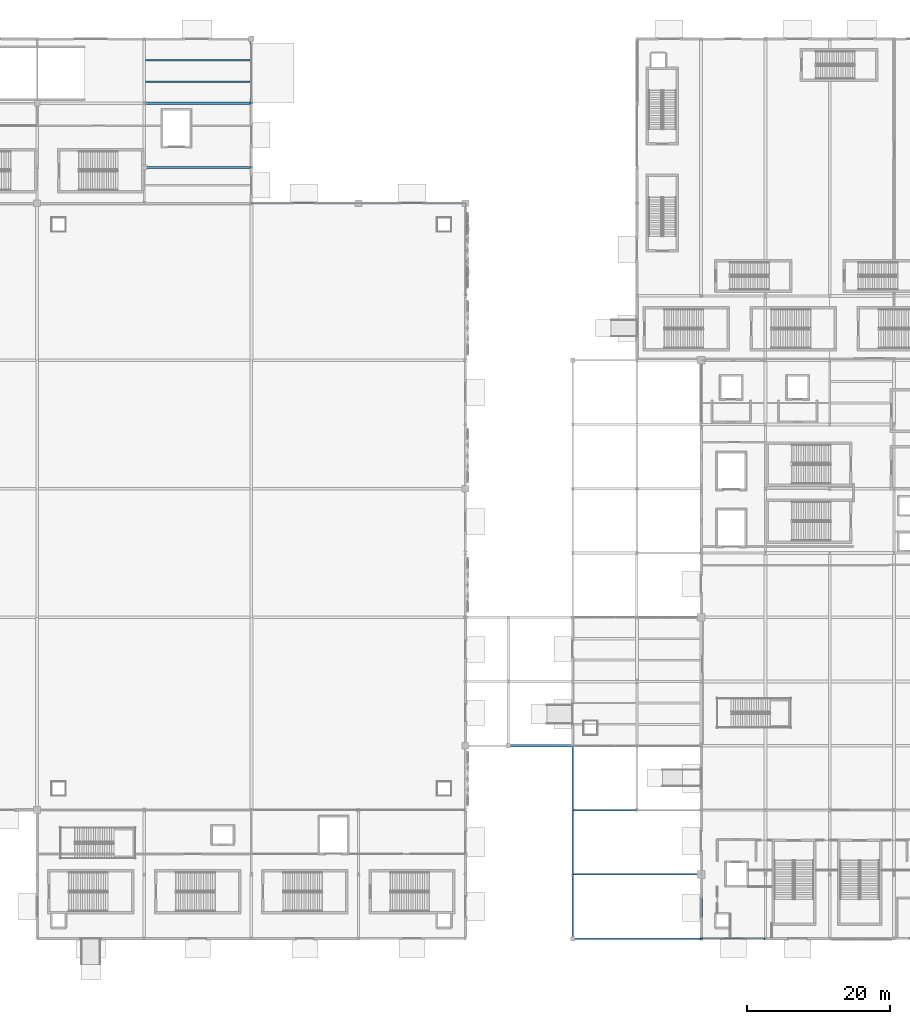
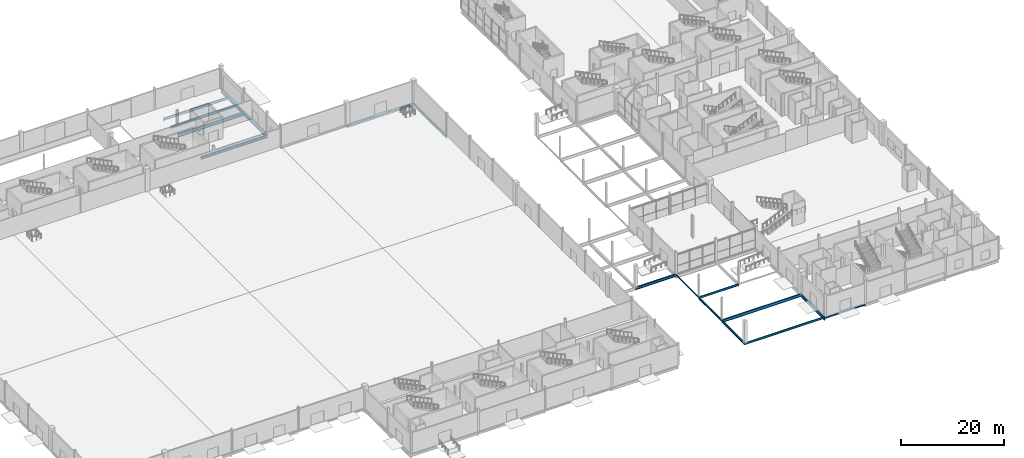
# One storey, part 29 of 94: 18 beams.
"""IFC4 building model written with IfcOpenShell, lengths in metres."""

from ifc_helpers import new_model, si_unit, direction, frame, origin, origin_2d, place, context, subcontext, project, spatial, hollow_rectangle, i_section, extrude, material, material_profile, profile_set, type_object, element, save


model = new_model("IFC4")

# Units and contexts
model_context = context("Model", 3, precision=1e-05, world=origin(), true_north=direction((0.0, 1.0)))
body_context = subcontext(model_context, "Body", "Model", "MODEL_VIEW")
ifc_project = project(units=[si_unit("LENGTHUNIT", "METRE"), si_unit("AREAUNIT", "SQUARE_METRE"), si_unit("VOLUMEUNIT", "CUBIC_METRE"), si_unit("PLANEANGLEUNIT", "RADIAN"), si_unit("MASSUNIT", "GRAM", prefix="KILO")], contexts=[model_context])

# Site, building, storey
site_placement = place(None, origin())
site = spatial("IfcSite", under=ifc_project, at=site_placement, CompositionType="ELEMENT")
building_placement = place(site_placement, origin())
building = spatial("IfcBuilding", under=site, at=building_placement, Name="Qamarlyn Nura Convention Centre", CompositionType="ELEMENT")
storey_placement = place(building_placement, origin())
storey = spatial("IfcBuildingStorey", under=building, at=storey_placement, Name="L00", CompositionType="ELEMENT", Elevation=0.0)

# Beams
ifc_material_1 = material(Name="Steel ASTM A992", Category="steel")
ifc_material_profile_1 = material_profile(ifc_material_1, i_section(OverallWidth=0.323974609375, OverallDepth=0.611083984375, WebThickness=0.0126953125, FlangeThickness=0.01904296875, FilletRadius=0.01611328125, at=origin_2d()), Name="W610X155")
ifc_profile_set_1 = profile_set([ifc_material_profile_1], Name="Steel ASTM A992")
beam_type_1 = type_object("IfcBeamType", Name="BM-GIRD-610", PredefinedType="BEAM", material=ifc_profile_set_1)
beam_1_placement = place(storey_placement, frame((126.0, 27.0, -0.305419921875), z_axis=(1.0, 0.0, 0.0), x_axis=(0.0, 1.0, 0.0)))
element("IfcBeam", 1, at=beam_1_placement, inside=storey, type_object=beam_type_1, Name="L00 girder D 10-11", PredefinedType="BEAM", context=body_context, shape_type="SweptSolid", body=[
    extrude(i_section(OverallWidth=0.323974609375, OverallDepth=0.611083984375, WebThickness=0.0126953125, FlangeThickness=0.01904296875, FilletRadius=0.01611328125, at=origin_2d()), origin(), (0.0, 0.0, 1.0), 9.0),
])
beam_2_placement = place(storey_placement, frame((75.0, 108.0, -0.62548828125), z_axis=(1.0, 0.0, 0.0), x_axis=(0.0, 1.0, 0.0)))
element("IfcBeam", 2, at=beam_2_placement, inside=storey, type_object=beam_type_1, Name="L00 girder N 6-7", PredefinedType="BEAM", context=body_context, shape_type="SweptSolid", body=[
    extrude(i_section(OverallWidth=0.323974609375, OverallDepth=0.611083984375, WebThickness=0.0126953125, FlangeThickness=0.01904296875, FilletRadius=0.01611328125, at=origin_2d()), origin(), (0.0, 0.0, 1.0), 15.0),
])
ifc_material_profile_2 = material_profile(ifc_material_1, i_section(OverallWidth=0.35498046875, OverallDepth=0.695068359375, WebThickness=0.015380859375, FlangeThickness=0.02490234375, FilletRadius=0.01806640625, at=origin_2d()), Name="W690X217")
ifc_profile_set_2 = profile_set([ifc_material_profile_2], Name="Steel ASTM A992")
beam_type_2 = type_object("IfcBeamType", Name="BM-GIRD-690A", PredefinedType="BEAM", material=ifc_profile_set_2)
for number, where, z_axis, x_axis, name in (
    (3, (90.0, 117.0, -0.66748046875), (0.0, 1.0, 0.0), (-1.0, 0.0, 0.0), "L00 girder 7 P-Q"),
    (4, (153.0, 0.0, -0.62744140625), (0.0, 1.0, 0.0), (-1.0, 0.0, 0.0), "L00 girder 13 A-B"),
):
    element("IfcBeam", number, at=place(storey_placement, frame(where, z_axis=z_axis, x_axis=x_axis)), inside=storey, type_object=beam_type_2, Name=name, PredefinedType="BEAM", context=body_context, shape_type="SweptSolid", body=[
        extrude(i_section(OverallWidth=0.35498046875, OverallDepth=0.695068359375, WebThickness=0.015380859375, FlangeThickness=0.02490234375, FilletRadius=0.01806640625, at=origin_2d()), origin(), (0.0, 0.0, 1.0), 9.0),
    ])
ifc_material_profile_3 = material_profile(ifc_material_1, i_section(OverallWidth=0.25390625, OverallDepth=0.68408203125, WebThickness=0.012451171875, FlangeThickness=0.01904296875, FilletRadius=0.01806640625, at=origin_2d()), Name="W690X140")
ifc_profile_set_3 = profile_set([ifc_material_profile_3], Name="Steel ASTM A992")
beam_type_3 = type_object("IfcBeamType", Name="BM-GIRD-690B", PredefinedType="BEAM", material=ifc_profile_set_3)
beam_3_placement = place(storey_placement, frame((135.0, 9.0, -0.342041015625), z_axis=(1.0, 0.0, 0.0), x_axis=(0.0, 1.0, 0.0)))
element("IfcBeam", 5, at=beam_3_placement, inside=storey, type_object=beam_type_3, Name="L00 girder B 11-13", PredefinedType="BEAM", context=body_context, shape_type="SweptSolid", body=[
    extrude(i_section(OverallWidth=0.25390625, OverallDepth=0.68408203125, WebThickness=0.012451171875, FlangeThickness=0.01904296875, FilletRadius=0.01806640625, at=origin_2d()), origin(), (0.0, 0.0, 1.0), 18.0),
])
ifc_material_profile_4 = material_profile(ifc_material_1, i_section(OverallWidth=0.381103515625, OverallDepth=0.77294921875, WebThickness=0.0166015625, FlangeThickness=0.027587890625, FilletRadius=0.02001953125, at=origin_2d()), Name="W760X257")
ifc_profile_set_4 = profile_set([ifc_material_profile_4], Name="Steel ASTM A992")
beam_type_4 = type_object("IfcBeamType", Name="BM-GIRD-760", PredefinedType="BEAM", material=ifc_profile_set_4)
beam_4_placement = place(storey_placement, frame((75.0, 117.0, -0.70654296875), z_axis=(1.0, 0.0, 0.0), x_axis=(0.0, 1.0, 0.0)))
element("IfcBeam", 6, at=beam_4_placement, inside=storey, type_object=beam_type_4, Name="L00 girder P 6-7", PredefinedType="BEAM", context=body_context, shape_type="SweptSolid", body=[
    extrude(i_section(OverallWidth=0.381103515625, OverallDepth=0.77294921875, WebThickness=0.0166015625, FlangeThickness=0.027587890625, FilletRadius=0.02001953125, at=origin_2d()), origin(), (0.0, 0.0, 1.0), 15.0),
])
beam_5_placement = place(storey_placement, frame((90.0, 108.0, -0.70654296875), z_axis=(0.0, 1.0, 0.0), x_axis=(-1.0, 0.0, 0.0)))
element("IfcBeam", 7, at=beam_5_placement, inside=storey, type_object=beam_type_4, Name="L00 girder 7 N-P", PredefinedType="BEAM", context=body_context, shape_type="SweptSolid", body=[
    extrude(i_section(OverallWidth=0.381103515625, OverallDepth=0.77294921875, WebThickness=0.0166015625, FlangeThickness=0.027587890625, FilletRadius=0.02001953125, at=origin_2d()), origin(), (0.0, 0.0, 1.0), 9.0),
])
ifc_material_profile_5 = material_profile(ifc_material_1, i_section(OverallWidth=0.22802734375, OverallDepth=0.60791015625, WebThickness=0.01123046875, FlangeThickness=0.017333984375, FilletRadius=0.01611328125, at=origin_2d()), Name="W610X113")
ifc_profile_set_5 = profile_set([ifc_material_profile_5], Name="Steel ASTM A992")
beam_type_5 = type_object("IfcBeamType", Name="BM-JOIST-610", PredefinedType="JOIST", material=ifc_profile_set_5)
for number, where, z_axis, x_axis, name in (
    (8, (75.1904296875, 120.0, -0.6240234375), (1.0, 0.0, 0.0), (0.0, 1.0, 0.0), "L00 composite joist 6-7/P+1"),
    (9, (75.1904296875, 123.0, -0.6240234375), (1.0, 0.0, 0.0), (0.0, 1.0, 0.0), "L00 composite joist 6-7/P+2"),
):
    element("IfcBeam", number, at=place(storey_placement, frame(where, z_axis=z_axis, x_axis=x_axis)), inside=storey, type_object=beam_type_5, Name=name, PredefinedType="JOIST", context=body_context, shape_type="SweptSolid", body=[
        extrude(i_section(OverallWidth=0.22802734375, OverallDepth=0.60791015625, WebThickness=0.01123046875, FlangeThickness=0.017333984375, FilletRadius=0.01611328125, at=origin_2d()), origin(), (0.0, 0.0, 1.0), 14.632080078125),
    ])
ifc_material_profile_6 = material_profile(ifc_material_1, i_section(OverallWidth=0.193115234375, OverallDepth=0.466064453125, WebThickness=0.011474609375, FlangeThickness=0.01904296875, FilletRadius=0.012939453125, at=origin_2d()), Name="W460X97")
ifc_profile_set_6 = profile_set([ifc_material_profile_6], Name="Steel ASTM A992")
beam_type_6 = type_object("IfcBeamType", Name="BM-SPAN-460", PredefinedType="SPANDREL", material=ifc_profile_set_6)
beam_6_placement = place(storey_placement, frame((135.0, 0.0, -0.23291015625), z_axis=(1.0, 0.0, 0.0), x_axis=(0.0, 1.0, 0.0)))
element("IfcBeam", 10, at=beam_6_placement, inside=storey, type_object=beam_type_6, Name="L00 girder A 11-13", PredefinedType="SPANDREL", context=body_context, shape_type="SweptSolid", body=[
    extrude(i_section(OverallWidth=0.193115234375, OverallDepth=0.466064453125, WebThickness=0.011474609375, FlangeThickness=0.01904296875, FilletRadius=0.012939453125, at=origin_2d()), origin(), (0.0, 0.0, 1.0), 18.0),
])
for number, where, z_axis, x_axis, name in (
    (11, (135.0, 18.0, -0.23291015625), (1.0, 0.0, 0.0), (0.0, 1.0, 0.0), "L00 girder C 11-12"),
    (12, (135.0, 9.0, -0.23291015625), (0.0, 1.0, 0.0), (-1.0, 0.0, 0.0), "L00 girder 11 B-C"),
):
    element("IfcBeam", number, at=place(storey_placement, frame(where, z_axis=z_axis, x_axis=x_axis)), inside=storey, type_object=beam_type_6, Name=name, PredefinedType="SPANDREL", context=body_context, shape_type="SweptSolid", body=[
        extrude(i_section(OverallWidth=0.193115234375, OverallDepth=0.466064453125, WebThickness=0.011474609375, FlangeThickness=0.01904296875, FilletRadius=0.012939453125, at=origin_2d()), origin(), (0.0, 0.0, 1.0), 9.0),
    ])
ifc_material_profile_7 = material_profile(ifc_material_1, i_section(OverallWidth=0.2109375, OverallDepth=0.5390625, WebThickness=0.01171875, FlangeThickness=0.018798828125, FilletRadius=0.013916015625, at=origin_2d()), Name="W530X109")
ifc_profile_set_7 = profile_set([ifc_material_profile_7], Name="Steel ASTM A992")
beam_type_7 = type_object("IfcBeamType", Name="BM-SPAN-530", PredefinedType="SPANDREL", material=ifc_profile_set_7)
beam_7_placement = place(storey_placement, frame((105.0, 103.0, -0.619384765625), z_axis=(1.0, 0.0, 0.0), x_axis=(0.0, 1.0, 0.0)))
element("IfcBeam", 13, at=beam_7_placement, inside=storey, type_object=beam_type_7, Name="L00 girder M 8-9", PredefinedType="SPANDREL", context=body_context, shape_type="SweptSolid", body=[
    extrude(i_section(OverallWidth=0.2109375, OverallDepth=0.5390625, WebThickness=0.01171875, FlangeThickness=0.018798828125, FilletRadius=0.013916015625, at=origin_2d()), origin(), (0.0, 0.0, 1.0), 15.0),
])
beam_8_placement = place(storey_placement, frame((120.0, 90.0, -0.619384765625), z_axis=(0.0, 1.0, 0.0), x_axis=(-1.0, 0.0, 0.0)))
element("IfcBeam", 14, at=beam_8_placement, inside=storey, type_object=beam_type_7, Name="L00 girder 9 L-M", PredefinedType="SPANDREL", context=body_context, shape_type="SweptSolid", body=[
    extrude(i_section(OverallWidth=0.2109375, OverallDepth=0.5390625, WebThickness=0.01171875, FlangeThickness=0.018798828125, FilletRadius=0.013916015625, at=origin_2d()), origin(), (0.0, 0.0, 1.0), 13.0),
])
beam_9_placement = place(storey_placement, frame((135.0, 0.0, -0.26953125), z_axis=(0.0, 1.0, 0.0), x_axis=(-1.0, 0.0, 0.0)))
element("IfcBeam", 15, at=beam_9_placement, inside=storey, type_object=beam_type_7, Name="L00 girder 11 A-B", PredefinedType="SPANDREL", context=body_context, shape_type="SweptSolid", body=[
    extrude(i_section(OverallWidth=0.2109375, OverallDepth=0.5390625, WebThickness=0.01171875, FlangeThickness=0.018798828125, FilletRadius=0.013916015625, at=origin_2d()), origin(), (0.0, 0.0, 1.0), 9.0),
])
ifc_material_2 = material(Name="Steel ASTM A500 Grade C", Category="steel")
ifc_material_profile_8 = material_profile(ifc_material_2, hollow_rectangle(XDim=0.199951171875, YDim=0.300048828125, WallThickness=0.012451171875, InnerFilletRadius=0.012451171875, OuterFilletRadius=0.02490234375, at=origin_2d()), Name="HSS300X200X12.5")
ifc_profile_set_8 = profile_set([ifc_material_profile_8], Name="Steel ASTM A500 Grade C")
beam_type_8 = type_object("IfcBeamType", Name="BM-SPAN-HSS", PredefinedType="SPANDREL", material=ifc_profile_set_8)
beam_10_placement = place(storey_placement, frame((153.0, 0.0, -0.429931640625), z_axis=(1.0, 0.0, 0.0), x_axis=(0.0, 1.0, 0.0)))
element("IfcBeam", 16, at=beam_10_placement, inside=storey, type_object=beam_type_8, Name="L00 girder A 13-14", PredefinedType="SPANDREL", context=body_context, shape_type="SweptSolid", body=[
    extrude(hollow_rectangle(XDim=0.199951171875, YDim=0.300048828125, WallThickness=0.012451171875, InnerFilletRadius=0.012451171875, OuterFilletRadius=0.02490234375, at=origin_2d()), origin(), (0.0, 0.0, 1.0), 9.0),
])
beam_11_placement = place(storey_placement, frame((90.0, 103.0, -0.5), z_axis=(1.0, 0.0, 0.0), x_axis=(0.0, 1.0, 0.0)))
element("IfcBeam", 17, at=beam_11_placement, inside=storey, type_object=beam_type_8, Name="L00 girder M 7-8", PredefinedType="SPANDREL", context=body_context, shape_type="SweptSolid", body=[
    extrude(hollow_rectangle(XDim=0.199951171875, YDim=0.300048828125, WallThickness=0.012451171875, InnerFilletRadius=0.012451171875, OuterFilletRadius=0.02490234375, at=origin_2d()), origin(), (0.0, 0.0, 1.0), 15.0),
])
beam_12_placement = place(storey_placement, frame((135.0, 18.0, -0.14990234375), z_axis=(0.0, 1.0, 0.0), x_axis=(-1.0, 0.0, 0.0)))
element("IfcBeam", 18, at=beam_12_placement, inside=storey, type_object=beam_type_8, Name="L00 girder 11 C-D", PredefinedType="SPANDREL", context=body_context, shape_type="SweptSolid", body=[
    extrude(hollow_rectangle(XDim=0.199951171875, YDim=0.300048828125, WallThickness=0.012451171875, InnerFilletRadius=0.012451171875, OuterFilletRadius=0.02490234375, at=origin_2d()), origin(), (0.0, 0.0, 1.0), 9.0),
])

save(model, "model.ifc")
